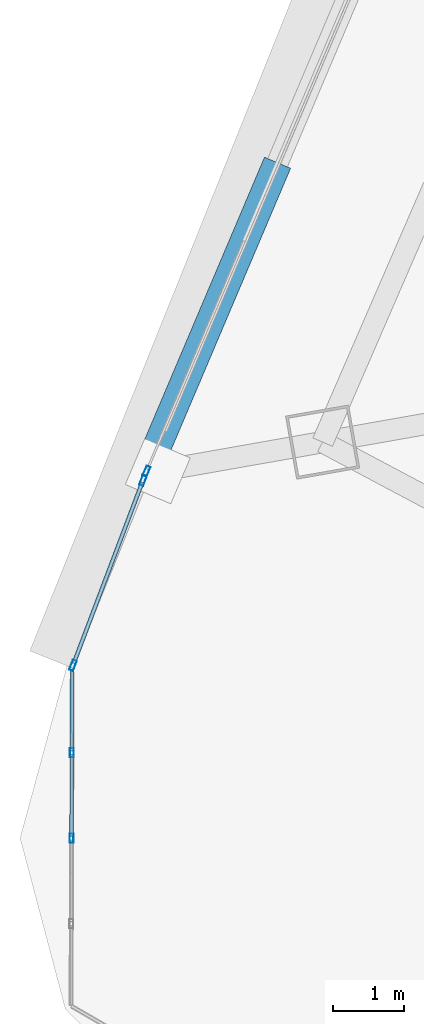
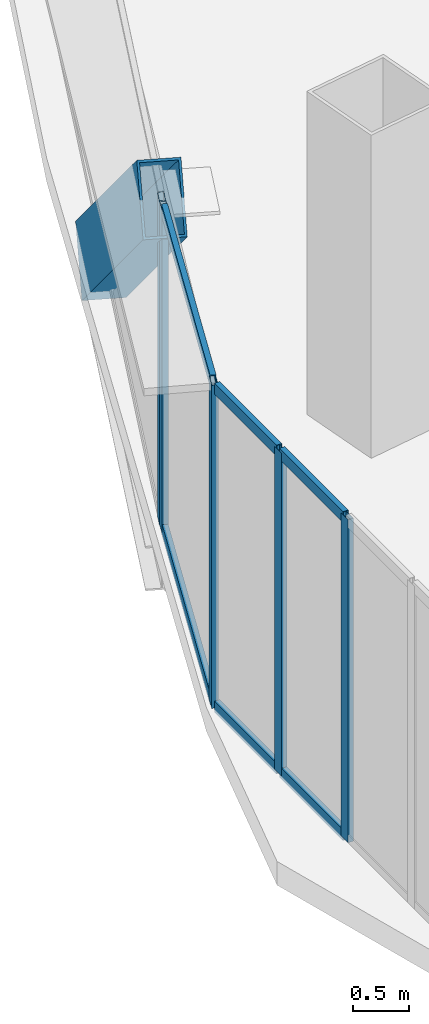
# One storey, part 4 of 40: 12 members, 3 elements without a shape of their own.
"""IFC4 building model written with IfcOpenShell, lengths in metres."""

from ifc_helpers import new_model, si_unit, direction, frame, origin, origin_2d, place, context, subcontext, project, spatial, hollow_rectangle, extrude, source, transform, mapped, material, layer, layer_set, material_profile, profile_set, type_object, element, aggregate, save


model = new_model("IFC4")

# Units and contexts
model_context = context("Model", 3, precision=1e-05, world=origin(), true_north=direction((0.0, 1.0)))
body_context = subcontext(model_context, "Body", "Model", "MODEL_VIEW")
ifc_project = project(units=[si_unit("LENGTHUNIT", "METRE"), si_unit("AREAUNIT", "SQUARE_METRE"), si_unit("VOLUMEUNIT", "CUBIC_METRE"), si_unit("PLANEANGLEUNIT", "RADIAN"), si_unit("MASSUNIT", "GRAM", prefix="KILO"), si_unit("THERMODYNAMICTEMPERATUREUNIT", "KELVIN"), si_unit("POWERUNIT", "WATT")], contexts=[model_context])

# Site, building, storey
site_placement = place(None, origin())
site = spatial("IfcSite", under=ifc_project, at=site_placement, CompositionType="ELEMENT")
building_placement = place(site_placement, origin())
building = spatial("IfcBuilding", under=site, at=building_placement, Name="Yunzhuo Pagoda Commons", CompositionType="ELEMENT")
storey_placement = place(building_placement, frame((0.0, 0.0, 188.56005859375)))
storey = spatial("IfcBuildingStorey", under=building, at=storey_placement, Name="L47", CompositionType="ELEMENT", Elevation=188.56005859375)

# Member
ifc_material_1 = material(Name="Structural steel Q355B", Category="steel")
ifc_material_profile_1 = material_profile(ifc_material_1, hollow_rectangle(XDim=0.39990234375, YDim=0.719970703125, WallThickness=0.02392578125, at=origin_2d()), Name="Structural steel Q355B")
ifc_profile_set_1 = profile_set([ifc_material_profile_1], Name="Structural steel Q355B")
member_type_1 = type_object("IfcMemberType", Name="M-DL2 Brace BOX 720x400x24", PredefinedType="BRACE", material=ifc_profile_set_1)
shared_shape_1 = source(origin(), body_context, "Body", "SweptSolid", [
    extrude(hollow_rectangle(XDim=0.39990234375, YDim=0.719970703125, WallThickness=0.02392578125, at=origin_2d()), origin(), (0.0, 0.0, 1.0), 5.89697265625),
])
member_1_placement = place(storey_placement, frame((12.069580078125, 31.20458984375, -0.260009765625), z_axis=(-0.29878939994, -0.703895992486, 0.644403077464), x_axis=(0.920503311686, -0.390734760642, 0.0)))
element("IfcMember", 1, at=member_1_placement, inside=storey, type_object=member_type_1, Name="L47 facade diamond brace F3.3R", PredefinedType="BRACE", context=body_context, shape_type="MappedRepresentation", body=[
    mapped(shared_shape_1, transform((0.0, 0.0, 0.0), scale=1.0)),
])

# Curtain wall, members
ifc_material_2 = material(Name="Anodized aluminium 6063-T6", Category="aluminium")
ifc_layer_1 = layer(ifc_material_2, 0.1298828125)
ifc_layer_set_1 = layer_set([ifc_layer_1], Name="Anodized aluminium 6063-T6")
curtain_wall_type_1 = type_object("IfcCurtainWallType", Name="CW-VTX Rounded Corner Curtain Wall", PredefinedType="NOTDEFINED", material=ifc_layer_set_1)
curtain_wall_1_placement = place(storey_placement, origin())
curtain_wall_1 = element("IfcCurtainWall", 2, at=curtain_wall_1_placement, inside=storey, type_object=curtain_wall_type_1, Name="L47 curtain wall CW-L47-VTX1S1", PredefinedType="NOTDEFINED")
ifc_material_profile_2 = material_profile(ifc_material_2, hollow_rectangle(XDim=0.054931640625, YDim=0.1298828125, WallThickness=0.00341796875, at=origin_2d()), Name="Anodized aluminium 6063-T6")
ifc_profile_set_2 = profile_set([ifc_material_profile_2], Name="Anodized aluminium 6063-T6")
member_type_2 = type_object("IfcMemberType", Name="CW-VTX-M Mullion RHS 130x55x3.5", PredefinedType="MULLION", material=ifc_profile_set_2)
shared_shape_2 = source(origin(), body_context, "Body", "SweptSolid", [
    extrude(hollow_rectangle(XDim=0.054931640625, YDim=0.1298828125, WallThickness=0.00341796875, at=origin_2d()), origin(), (0.0, 0.0, 1.0), 3.5400390625),
])
member_2_placement = place(storey_placement, frame((9.27099609375, 23.1279296875, 0.0), z_axis=(0.0, 0.0, 1.0), x_axis=(0.99999359061, -0.003580326762, 0.0)))
member_2 = element("IfcMember", 3, at=member_2_placement, type_object=member_type_2, Name="CW mullion 2", PredefinedType="MULLION", context=body_context, shape_type="MappedRepresentation", body=[
    mapped(shared_shape_2, transform((0.0, 0.0, 0.0), scale=1.0)),
])
member_3_placement = place(storey_placement, frame((9.266845703125, 21.927001953125, 0.0), z_axis=(0.0, 0.0, 1.0), x_axis=(0.99999359061, -0.003580326762, 0.0)))
member_3 = element("IfcMember", 4, at=member_3_placement, type_object=member_type_2, Name="CW mullion 3", PredefinedType="MULLION", context=body_context, shape_type="MappedRepresentation", body=[
    mapped(shared_shape_2, transform((0.0, 0.0, 0.0), scale=1.0)),
])

# Curtain wall, member
ifc_layer_2 = layer(ifc_material_2, 0.14990234375)
ifc_layer_set_2 = layer_set([ifc_layer_2], Name="Anodized aluminium 6063-T6")
curtain_wall_type_2 = type_object("IfcCurtainWallType", Name="CW-MID Mid-Zone Ribbon Curtain Wall", PredefinedType="NOTDEFINED", material=ifc_layer_set_2)
curtain_wall_2_placement = place(storey_placement, origin())
curtain_wall_2 = element("IfcCurtainWall", 5, at=curtain_wall_2_placement, inside=storey, type_object=curtain_wall_type_2, Name="L47 curtain wall CW-L47-F3B4", PredefinedType="NOTDEFINED")
ifc_material_profile_3 = material_profile(ifc_material_2, hollow_rectangle(XDim=0.06005859375, YDim=0.14990234375, WallThickness=0.00390625, at=origin_2d()), Name="Anodized aluminium 6063-T6")
ifc_profile_set_3 = profile_set([ifc_material_profile_3], Name="Anodized aluminium 6063-T6")
member_type_3 = type_object("IfcMemberType", Name="CW-MID-M Mullion RHS 150x60x4", PredefinedType="MULLION", material=ifc_profile_set_3)
shared_shape_3 = source(origin(), body_context, "Body", "SweptSolid", [
    extrude(hollow_rectangle(XDim=0.06005859375, YDim=0.14990234375, WallThickness=0.00390625, at=origin_2d()), origin(), (0.0, 0.0, 1.0), 3.5400390625),
])
member_4_placement = place(storey_placement, frame((10.3193359375, 27.081298828125, 0.0), z_axis=(0.0, 0.0, 1.0), x_axis=(0.920515325194, -0.390706457693, 0.0)))
member_4 = element("IfcMember", 6, at=member_4_placement, type_object=member_type_3, Name="CW mullion 2", PredefinedType="MULLION", context=body_context, shape_type="MappedRepresentation", body=[
    mapped(shared_shape_3, transform((0.0, 0.0, 0.0), scale=1.0)),
])
aggregate(curtain_wall_2, [member_4])

# Curtain wall, members
curtain_wall_3_placement = place(storey_placement, origin())
curtain_wall_3 = element("IfcCurtainWall", 7, at=curtain_wall_3_placement, inside=storey, type_object=curtain_wall_type_2, Name="L47 curtain wall CW-L47-F3B5", PredefinedType="NOTDEFINED")
member_5_placement = place(storey_placement, frame((10.2705078125, 26.95556640625, 0.0), z_axis=(0.0, 0.0, 1.0), x_axis=(0.935148483493, -0.354256000401, 0.0)))
member_5 = element("IfcMember", 8, at=member_5_placement, type_object=member_type_3, Name="CW mullion 1", PredefinedType="MULLION", context=body_context, shape_type="MappedRepresentation", body=[
    mapped(shared_shape_3, transform((0.0, 0.0, 0.0), scale=1.0)),
])
member_6_placement = place(storey_placement, frame((9.2861328125, 24.35693359375, 0.0), z_axis=(0.0, 0.0, 1.0), x_axis=(0.935148483493, -0.354256000401, 0.0)))
member_6 = element("IfcMember", 9, at=member_6_placement, type_object=member_type_3, Name="CW mullion 2", PredefinedType="MULLION", context=body_context, shape_type="MappedRepresentation", body=[
    mapped(shared_shape_3, transform((0.0, 0.0, 0.0), scale=1.0)),
])
ifc_material_profile_4 = material_profile(ifc_material_2, hollow_rectangle(XDim=0.054931640625, YDim=0.1298828125, WallThickness=0.00341796875, at=origin_2d()), Name="Anodized aluminium 6063-T6")
ifc_profile_set_4 = profile_set([ifc_material_profile_4], Name="Anodized aluminium 6063-T6")
member_type_4 = type_object("IfcMemberType", Name="CW-MID-T Transom RHS 130x55x3.5", PredefinedType="USERDEFINED", material=ifc_profile_set_4)
shared_shape_4 = source(origin(), body_context, "Body", "SweptSolid", [
    extrude(hollow_rectangle(XDim=0.054931640625, YDim=0.1298828125, WallThickness=0.00341796875, at=origin_2d()), origin(), (0.0, 0.0, 1.0), 2.71875),
])
member_7_placement = place(storey_placement, frame((10.259765625, 26.927490234375, 0.02734375), z_axis=(-0.354250859445, -0.935150430991, 0.0), x_axis=(0.935150430991, -0.354250859445, 0.0)))
member_7 = element("IfcMember", 10, at=member_7_placement, type_object=member_type_4, Name="CW transom 1.1", ObjectType="TRANSOM", PredefinedType="USERDEFINED", context=body_context, shape_type="MappedRepresentation", body=[
    mapped(shared_shape_4, transform((0.0, 0.0, 0.0), scale=1.0)),
])
member_8_placement = place(storey_placement, frame((10.259765625, 26.927490234375, 3.512451171875), z_axis=(-0.354250859445, -0.935150430991, 0.0), x_axis=(0.935150430991, -0.354250859445, 0.0)))
member_8 = element("IfcMember", 11, at=member_8_placement, type_object=member_type_4, Name="CW transom 1.2", ObjectType="TRANSOM", PredefinedType="USERDEFINED", context=body_context, shape_type="MappedRepresentation", body=[
    mapped(shared_shape_4, transform((0.0, 0.0, 0.0), scale=1.0)),
])
aggregate(curtain_wall_3, [member_5, member_6, member_7, member_8])

# Member
ifc_material_profile_5 = material_profile(ifc_material_2, hollow_rectangle(XDim=0.054931640625, YDim=0.1201171875, WallThickness=0.00341796875, at=origin_2d()), Name="Anodized aluminium 6063-T6")
ifc_profile_set_5 = profile_set([ifc_material_profile_5], Name="Anodized aluminium 6063-T6")
member_type_5 = type_object("IfcMemberType", Name="CW-VTX-T Transom RHS 120x55x3.5", PredefinedType="USERDEFINED", material=ifc_profile_set_5)
shared_shape_5 = source(origin(), body_context, "Body", "SweptSolid", [
    extrude(hollow_rectangle(XDim=0.054931640625, YDim=0.1201171875, WallThickness=0.00341796875, at=origin_2d()), origin(), (0.0, 0.0, 1.0), 1.118408203125),
])
member_9_placement = place(storey_placement, frame((9.275390625, 24.27392578125, 0.02734375), z_axis=(-0.003710954583, -0.999993114384, 0.0), x_axis=(0.999993114384, -0.003710954583, 0.0)))
member_9 = element("IfcMember", 12, at=member_9_placement, type_object=member_type_5, Name="CW transom 1.1", ObjectType="TRANSOM", PredefinedType="USERDEFINED", context=body_context, shape_type="MappedRepresentation", body=[
    mapped(shared_shape_5, transform((0.0, 0.0, 0.0), scale=1.0)),
])

member_10_placement = place(storey_placement, frame((9.275390625, 24.27392578125, 3.512451171875), z_axis=(-0.003710954583, -0.999993114384, 0.0), x_axis=(0.999993114384, -0.003710954583, 0.0)))
member_10 = element("IfcMember", 13, at=member_10_placement, type_object=member_type_5, Name="CW transom 1.2", ObjectType="TRANSOM", PredefinedType="USERDEFINED", context=body_context, shape_type="MappedRepresentation", body=[
    mapped(shared_shape_5, transform((0.0, 0.0, 0.0), scale=1.0)),
])

shared_shape_6 = source(origin(), body_context, "Body", "SweptSolid", [
    extrude(hollow_rectangle(XDim=0.054931640625, YDim=0.1201171875, WallThickness=0.00341796875, at=origin_2d()), origin(), (0.0, 0.0, 1.0), 1.14599609375),
])
member_11_placement = place(storey_placement, frame((9.27099609375, 23.100341796875, 0.02734375), z_axis=(-0.003621620902, -0.99999344191, 0.0), x_axis=(0.99999344191, -0.003621620902, 0.0)))
member_11 = element("IfcMember", 14, at=member_11_placement, type_object=member_type_5, Name="CW transom 2.1", ObjectType="TRANSOM", PredefinedType="USERDEFINED", context=body_context, shape_type="MappedRepresentation", body=[
    mapped(shared_shape_6, transform((0.0, 0.0, 0.0), scale=1.0)),
])

member_12_placement = place(storey_placement, frame((9.27099609375, 23.100341796875, 3.512451171875), z_axis=(-0.003621620902, -0.99999344191, 0.0), x_axis=(0.99999344191, -0.003621620902, 0.0)))
member_12 = element("IfcMember", 15, at=member_12_placement, type_object=member_type_5, Name="CW transom 2.2", ObjectType="TRANSOM", PredefinedType="USERDEFINED", context=body_context, shape_type="MappedRepresentation", body=[
    mapped(shared_shape_6, transform((0.0, 0.0, 0.0), scale=1.0)),
])

aggregate(curtain_wall_1, [member_2, member_3, member_9, member_10, member_11, member_12])

save(model, "model.ifc")
